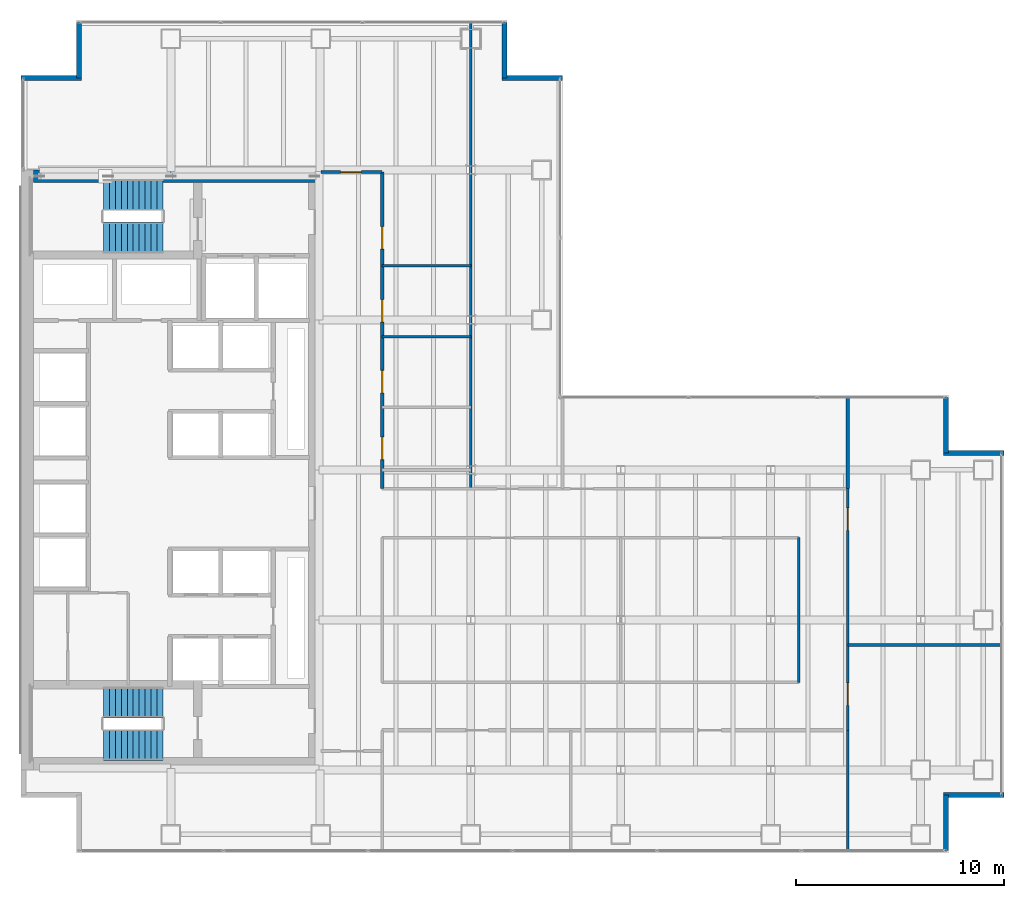
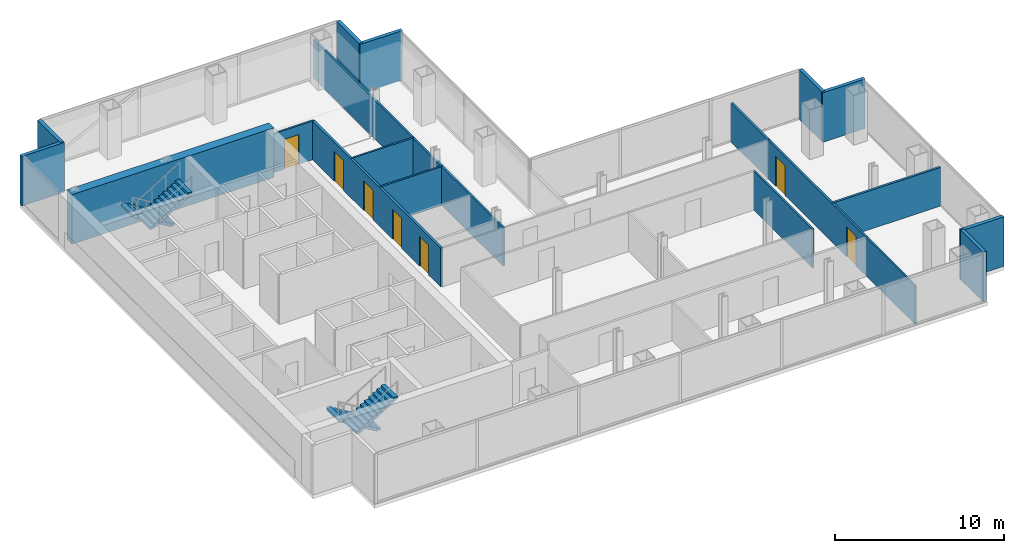
# One storey, part 22 of 23: 19 walls, 7 doors, 4 stair flights, 7 openings, 2 elements without a shape of their own.
"""IFC4 building model written with IfcOpenShell, lengths in metres."""

from ifc_helpers import new_model, si_unit, direction, frame, frame_2d, origin, place, context, subcontext, project, spatial, polyline, rectangle, outline, extrude, material, layer, layer_set, type_object, element, fill, aggregate, save


model = new_model("IFC4")

# Units and contexts
model_context = context("Model", 3, precision=1e-05, world=origin(), true_north=direction((0.0, 1.0)))
body_context = subcontext(model_context, "Body", "Model", "MODEL_VIEW")
ifc_project = project(units=[si_unit("LENGTHUNIT", "METRE"), si_unit("AREAUNIT", "SQUARE_METRE"), si_unit("VOLUMEUNIT", "CUBIC_METRE"), si_unit("PLANEANGLEUNIT", "RADIAN"), si_unit("MASSUNIT", "GRAM", prefix="KILO")], contexts=[model_context])

# Site, building, storey
site_placement = place(None, origin())
site = spatial("IfcSite", under=ifc_project, at=site_placement, CompositionType="ELEMENT")
building_placement = place(site_placement, origin())
building = spatial("IfcBuilding", under=site, at=building_placement, Name="Cobrela Telecom Tower", CompositionType="ELEMENT")
storey_placement = place(building_placement, frame((0.0, 0.0, 102.199951171875)))
storey = spatial("IfcBuildingStorey", under=building, at=storey_placement, Name="L25", CompositionType="ELEMENT", Elevation=102.199951171875)

# Walls
ifc_material_1 = material(Name="Concrete C50/60", Category="concrete")
ifc_layer_1 = layer(ifc_material_1, 0.60009765625)
ifc_layer_set_1 = layer_set([ifc_layer_1], Name="Concrete C50/60")
wall_type_1 = type_object("IfcWallType", Name="WALL-CORE-C50-600", PredefinedType="SHEAR", material=ifc_layer_set_1)
wall_1_placement = place(storey_placement, frame((0.60009765625, 35.699951171875, 0.0), z_axis=(0.0, 0.0, 1.0), x_axis=(1.0, 0.0, 0.0)))
element("IfcWall", 1, at=wall_1_placement, inside=storey, type_object=wall_type_1, Name="L25 North Core Shear Wall", PredefinedType="SHEAR", context=body_context, shape_type="SweptSolid", body=[
    extrude(rectangle(XDim=13.7998046875, YDim=0.60009765625, at=frame_2d((6.89990234375, 0.0))), origin(), (0.0, 0.0, 1.0), 3.580078125),
])
ifc_material_2 = material(Name="Concrete C40/50", Category="concrete")
ifc_layer_2 = layer(ifc_material_2, 0.239990234375)
ifc_layer_set_2 = layer_set([ifc_layer_2], Name="Concrete C40/50")
wall_type_2 = type_object("IfcWallType", Name="WALL-EXT-300", PredefinedType="STANDARD", material=ifc_layer_set_2)
wall_2_placement = place(storey_placement, frame((0.0, 40.409912109375, 0.0), z_axis=(0.0, 0.0, 1.0), x_axis=(1.0, 0.0, 0.0)))
element("IfcWall", 2, at=wall_2_placement, inside=storey, type_object=wall_type_2, Name="L25 Insulated Facade Wall 05", PredefinedType="STANDARD", context=body_context, shape_type="SweptSolid", body=[
    extrude(rectangle(XDim=2.909912109375, YDim=0.239990234375, at=frame_2d((1.455078125, 0.0))), origin(), (0.0, 0.0, 1.0), 3.580078125),
])
for number, where, z_axis, x_axis, name in (
    (3, (2.7900390625, 40.409912109375, 0.0), (0.0, 0.0, 1.0), (0.0, 1.0, 0.0), "L25 Insulated Facade Wall 06"),
    (4, (23.2099609375, 43.080078125, 0.0), (0.0, 0.0, 1.0), (0.0, -1.0, 0.0), "L25 Insulated Facade Wall 08"),
):
    element("IfcWall", number, at=place(storey_placement, frame(where, z_axis=z_axis, x_axis=x_axis)), inside=storey, type_object=wall_type_2, Name=name, PredefinedType="STANDARD", context=body_context, shape_type="SweptSolid", body=[
        extrude(rectangle(XDim=2.670166015625, YDim=0.239990234375, at=frame_2d((1.3349609375, 0.0))), origin(), (0.0, 0.0, 1.0), 3.580078125),
    ])
wall_3_placement = place(storey_placement, frame((23.090087890625, 40.409912109375, 0.0), z_axis=(0.0, 0.0, 1.0), x_axis=(1.0, 0.0, 0.0)))
element("IfcWall", 5, at=wall_3_placement, inside=storey, type_object=wall_type_2, Name="L25 Insulated Facade Wall 09", PredefinedType="STANDARD", context=body_context, shape_type="SweptSolid", body=[
    extrude(rectangle(XDim=2.909912109375, YDim=0.239990234375, at=frame_2d((1.455078125, 0.0))), origin(), (0.0, 0.0, 1.0), 3.580078125),
])
wall_4_placement = place(storey_placement, frame((44.409912109375, 25.080078125, 0.0), z_axis=(0.0, 0.0, 1.0), x_axis=(0.0, -1.0, 0.0)))
element("IfcWall", 6, at=wall_4_placement, inside=storey, type_object=wall_type_2, Name="L25 Insulated Facade Wall 12", PredefinedType="STANDARD", context=body_context, shape_type="SweptSolid", body=[
    extrude(rectangle(XDim=2.670166015625, YDim=0.239990234375, at=frame_2d((1.3349609375, 0.0))), origin(), (0.0, 0.0, 1.0), 3.580078125),
])
for number, where, z_axis, x_axis, name in (
    (7, (44.2900390625, 22.409912109375, 0.0), (0.0, 0.0, 1.0), (1.0, 0.0, 0.0), "L25 Insulated Facade Wall 13"),
    (8, (47.199951171875, 5.989990234375, 0.0), (0.0, 0.0, 1.0), (-1.0, 0.0, 0.0), "L25 Insulated Facade Wall 15"),
):
    element("IfcWall", number, at=place(storey_placement, frame(where, z_axis=z_axis, x_axis=x_axis)), inside=storey, type_object=wall_type_2, Name=name, PredefinedType="STANDARD", context=body_context, shape_type="SweptSolid", body=[
        extrude(rectangle(XDim=2.909912109375, YDim=0.239990234375, at=frame_2d((1.455078125, 0.0))), origin(), (0.0, 0.0, 1.0), 3.580078125),
    ])
wall_5_placement = place(storey_placement, frame((44.409912109375, 5.989990234375, 0.0), z_axis=(0.0, 0.0, 1.0), x_axis=(0.0, -1.0, 0.0)))
element("IfcWall", 9, at=wall_5_placement, inside=storey, type_object=wall_type_2, Name="L25 Insulated Facade Wall 16", PredefinedType="STANDARD", context=body_context, shape_type="SweptSolid", body=[
    extrude(rectangle(XDim=2.669921875, YDim=0.239990234375, at=frame_2d((1.3349609375, 0.0))), origin(), (0.0, 0.0, 1.0), 3.580078125),
])
ifc_material_3 = material(Name="Fire-Rated Gypsum Plasterboard")
ifc_layer_3 = layer(ifc_material_3, 0.110107421875)
ifc_layer_set_3 = layer_set([ifc_layer_3], Name="Fire-Rated Gypsum Plasterboard")
wall_type_3 = type_object("IfcWallType", Name="WALL-PART-110", PredefinedType="PARTITIONING", material=ifc_layer_set_3)
wall_6_placement = place(storey_placement, frame((39.699951171875, 3.320068359375, 0.0), z_axis=(0.0, 0.0, 1.0), x_axis=(0.0, 1.0, 0.0)))
element("IfcWall", 10, at=wall_6_placement, inside=storey, type_object=wall_type_3, Name="L25 Interior Partition W-UFE-S", PredefinedType="PARTITIONING", context=body_context, shape_type="SweptSolid", body=[
    extrude(rectangle(XDim=5.780029296875, YDim=0.110107421875, at=frame_2d((2.89013671875, 0.0))), origin(), (0.0, 0.0, 1.0), 2.79296875),
])
ifc_layer_4 = layer(ifc_material_3, 0.125)
ifc_layer_set_4 = layer_set([ifc_layer_4], Name="Fire-Rated Gypsum Plasterboard")
wall_type_4 = type_object("IfcWallType", Name="WALL-PART-125", PredefinedType="PARTITIONING", material=ifc_layer_set_4)
wall_7_placement = place(storey_placement, frame((37.35009765625, 11.39990234375, 0.0), z_axis=(0.0, 0.0, 1.0), x_axis=(0.0, 1.0, 0.0)))
element("IfcWall", 11, at=wall_7_placement, inside=storey, type_object=wall_type_4, Name="L25 Interior Partition W-ISL-E", PredefinedType="PARTITIONING", context=body_context, shape_type="SweptSolid", body=[
    extrude(rectangle(XDim=6.9501953125, YDim=0.125, at=frame_2d((3.47509765625, 0.0))), origin(), (0.0, 0.0, 1.0), 2.79296875),
])
for number, where, z_axis, x_axis, name in (
    (12, (17.35009765625, 28.0, 0.0), (0.0, 0.0, 1.0), (1.0, 0.0, 0.0), "L25 Interior Partition W-WC-2"),
    (13, (17.35009765625, 31.39990234375, 0.0), (0.0, 0.0, 1.0), (1.0, 0.0, 0.0), "L25 Interior Partition W-WC-3"),
):
    element("IfcWall", number, at=place(storey_placement, frame(where, z_axis=z_axis, x_axis=x_axis)), inside=storey, type_object=wall_type_4, Name=name, PredefinedType="PARTITIONING", context=body_context, shape_type="SweptSolid", body=[
        extrude(rectangle(XDim=4.25, YDim=0.125, at=frame_2d((2.125, 0.0))), origin(), (0.0, 0.0, 1.0), 2.79296875),
    ])

# Wall, opening, door
ifc_layer_5 = layer(ifc_material_3, 0.135009765625)
ifc_layer_set_5 = layer_set([ifc_layer_5], Name="Fire-Rated Gypsum Plasterboard")
wall_type_5 = type_object("IfcWallType", Name="WALL-PART-135", PredefinedType="PARTITIONING", material=ifc_layer_set_5)
wall_8_placement = place(storey_placement, frame((14.39990234375, 35.89990234375, 0.0), z_axis=(0.0, 0.0, 1.0), x_axis=(1.0, 0.0, 0.0)))
wall_8 = element("IfcWall", 14, at=wall_8_placement, inside=storey, type_object=wall_type_5, Name="L25 Interior Partition W-UW-N0", PredefinedType="PARTITIONING", context=body_context, shape_type="SweptSolid", body=[
    extrude(rectangle(XDim=2.9501953125, YDim=0.135009765625, at=frame_2d((1.47509765625, 0.0))), origin(), (0.0, 0.0, 1.0), 2.79296875),
])
opening_1_placement = place(wall_8_placement, frame((0.949951171875, 0.0, 0.0)))
opening_1 = element("IfcOpeningElement", 15, at=opening_1_placement, cuts=wall_8, Name="Opening DR-31", PredefinedType="OPENING", context=body_context, shape_type="SweptSolid", body=[
    extrude(rectangle(XDim=1.0, YDim=2.14990234375, at=frame_2d((0.5, 1.074951171875))), frame((0.0, 0.07958984375, 0.0), z_axis=(0.0, -1.0, 0.0), x_axis=(1.0, 0.0, 0.0)), (0.0, 0.0, 1.0), 0.158935546875),
])
ifc_material_4 = material(Name="Solid Engineered Oak Timber", Category="wood")
door_type_1 = type_object("IfcDoorType", Name="DOOR-INT-1000", OperationType="SINGLE_SWING_LEFT", PredefinedType="DOOR", material=ifc_material_4)
door_1_placement = place(opening_1_placement, origin())
door_1 = element("IfcDoor", 16, at=door_1_placement, inside=storey, type_object=door_type_1, Name="L25 Door DR-31", OperationType="SINGLE_SWING_LEFT", OverallHeight=2.14990234375, OverallWidth=1.0, PredefinedType="DOOR", context=body_context, shape_type="SweptSolid", body=[
    extrude(rectangle(XDim=1.0, YDim=2.14990234375, at=frame_2d((0.5, 1.074951171875))), frame((0.0, 0.02490234375, 0.0), z_axis=(0.0, -1.0, 0.0), x_axis=(1.0, 0.0, 0.0)), (0.0, 0.0, 1.0), 0.050048828125),
])
fill(opening_1, door_1)

# Wall, openings, doors
wall_9_placement = place(storey_placement, frame((39.699951171875, 9.10009765625, 0.0), z_axis=(0.0, 0.0, 1.0), x_axis=(0.0, 1.0, 0.0)))
wall_9 = element("IfcWall", 17, at=wall_9_placement, inside=storey, type_object=wall_type_5, Name="L25 Interior Partition W-UE-E", PredefinedType="PARTITIONING", context=body_context, shape_type="SweptSolid", body=[
    extrude(rectangle(XDim=11.599853515625, YDim=0.135009765625, at=frame_2d((5.7998046875, 0.0))), origin(), (0.0, 0.0, 1.0), 2.79296875),
])
opening_2_placement = place(wall_9_placement, frame((1.199951171875, 0.0, 0.0)))
opening_2 = element("IfcOpeningElement", 18, at=opening_2_placement, cuts=wall_9, Name="Opening DR-63", PredefinedType="OPENING", context=body_context, shape_type="SweptSolid", body=[
    extrude(rectangle(XDim=1.080078125, YDim=2.14990234375, at=frame_2d((0.5400390625, 1.074951171875))), frame((0.0, 0.07958984375, 0.0), z_axis=(0.0, -1.0, 0.0), x_axis=(1.0, 0.0, 0.0)), (0.0, 0.0, 1.0), 0.158935546875),
])
opening_3_placement = place(wall_9_placement, frame((9.60009765625, 0.0, 0.0)))
opening_3 = element("IfcOpeningElement", 19, at=opening_3_placement, cuts=wall_9, Name="Opening DR-63", PredefinedType="OPENING", context=body_context, shape_type="SweptSolid", body=[
    extrude(rectangle(XDim=1.080078125, YDim=2.14990234375, at=frame_2d((0.5400390625, 1.074951171875))), frame((0.0, 0.07958984375, 0.0), z_axis=(0.0, -1.0, 0.0), x_axis=(1.0, 0.0, 0.0)), (0.0, 0.0, 1.0), 0.158935546875),
])
door_type_2 = type_object("IfcDoorType", Name="DOOR-INT-1080", OperationType="SINGLE_SWING_LEFT", PredefinedType="DOOR", material=ifc_material_4)
door_2_placement = place(opening_2_placement, origin())
door_2 = element("IfcDoor", 20, at=door_2_placement, inside=storey, type_object=door_type_2, Name="L25 Door DR-63", OperationType="SINGLE_SWING_LEFT", OverallHeight=2.14990234375, OverallWidth=1.080078125, PredefinedType="DOOR", context=body_context, shape_type="SweptSolid", body=[
    extrude(rectangle(XDim=1.080078125, YDim=2.14990234375, at=frame_2d((0.5400390625, 1.074951171875))), frame((0.0, 0.02490234375, 0.0), z_axis=(0.0, -1.0, 0.0), x_axis=(1.0, 0.0, 0.0)), (0.0, 0.0, 1.0), 0.050048828125),
])
fill(opening_2, door_2)
door_3_placement = place(opening_3_placement, origin())
door_3 = element("IfcDoor", 21, at=door_3_placement, inside=storey, type_object=door_type_2, Name="L25 Door DR-63", OperationType="SINGLE_SWING_RIGHT", OverallHeight=2.14990234375, OverallWidth=1.080078125, PredefinedType="DOOR", context=body_context, shape_type="SweptSolid", body=[
    extrude(rectangle(XDim=1.080078125, YDim=2.14990234375, at=frame_2d((0.5400390625, 1.074951171875))), frame((0.0, 0.02490234375, 0.0), z_axis=(0.0, -1.0, 0.0), x_axis=(1.0, 0.0, 0.0)), (0.0, 0.0, 1.0), 0.050048828125),
])
fill(opening_3, door_3)

# Walls
wall_10_placement = place(storey_placement, frame((21.60009765625, 20.699951171875, 0.0), z_axis=(0.0, 0.0, 1.0), x_axis=(0.0, 1.0, 0.0)))
element("IfcWall", 22, at=wall_10_placement, inside=storey, type_object=wall_type_5, Name="L25 Interior Partition W-WC-E", PredefinedType="PARTITIONING", context=body_context, shape_type="SweptSolid", body=[
    extrude(rectangle(XDim=22.380126953125, YDim=0.135009765625, at=frame_2d((11.18994140625, 0.0))), origin(), (0.0, 0.0, 1.0), 2.79296875),
])
ifc_layer_6 = layer(ifc_material_3, 0.14990234375)
ifc_layer_set_6 = layer_set([ifc_layer_6], Name="Fire-Rated Gypsum Plasterboard")
wall_type_6 = type_object("IfcWallType", Name="WALL-PART-150", PredefinedType="PARTITIONING", material=ifc_layer_set_6)
wall_11_placement = place(storey_placement, frame((39.699951171875, 13.199951171875, 0.0), z_axis=(0.0, 0.0, 1.0), x_axis=(1.0, 0.0, 0.0)))
element("IfcWall", 23, at=wall_11_placement, inside=storey, type_object=wall_type_6, Name="L25 Interior Partition W-UFE-H", PredefinedType="PARTITIONING", context=body_context, shape_type="SweptSolid", body=[
    extrude(rectangle(XDim=7.380126953125, YDim=0.14990234375, at=frame_2d((3.68994140625, 0.0))), origin(), (0.0, 0.0, 1.0), 2.79296875),
])

# Wall, openings, doors
ifc_layer_7 = layer(ifc_material_3, 0.159912109375)
ifc_layer_set_7 = layer_set([ifc_layer_7], Name="Fire-Rated Gypsum Plasterboard")
wall_type_7 = type_object("IfcWallType", Name="WALL-PART-160", PredefinedType="PARTITIONING", material=ifc_layer_set_7)
wall_12_placement = place(storey_placement, frame((17.35009765625, 20.699951171875, 0.0), z_axis=(0.0, 0.0, 1.0), x_axis=(0.0, 1.0, 0.0)))
wall_12 = element("IfcWall", 24, at=wall_12_placement, inside=storey, type_object=wall_type_7, Name="L25 Interior Partition W-UW-E2", PredefinedType="PARTITIONING", context=body_context, shape_type="SweptSolid", body=[
    extrude(rectangle(XDim=15.199951171875, YDim=0.159912109375, at=frame_2d((7.60009765625, 0.0))), origin(), (0.0, 0.0, 1.0), 2.79296875),
])
opening_4_placement = place(wall_12_placement, frame((1.39990234375, 0.0, 0.0)))
opening_4 = element("IfcOpeningElement", 25, at=opening_4_placement, cuts=wall_12, Name="Opening DR-63", PredefinedType="OPENING", context=body_context, shape_type="SweptSolid", body=[
    extrude(rectangle(XDim=1.080078125, YDim=2.14990234375, at=frame_2d((0.5400390625, 1.074951171875))), frame((0.0, 0.091796875, 0.0), z_axis=(0.0, -1.0, 0.0), x_axis=(1.0, 0.0, 0.0)), (0.0, 0.0, 1.0), 0.183837890625),
])
opening_5_placement = place(wall_12_placement, frame((4.60009765625, 0.0, 0.0)))
opening_5 = element("IfcOpeningElement", 26, at=opening_5_placement, cuts=wall_12, Name="Opening DR-63", PredefinedType="OPENING", context=body_context, shape_type="SweptSolid", body=[
    extrude(rectangle(XDim=1.080078125, YDim=2.14990234375, at=frame_2d((0.5400390625, 1.074951171875))), frame((0.0, 0.091796875, 0.0), z_axis=(0.0, -1.0, 0.0), x_axis=(1.0, 0.0, 0.0)), (0.0, 0.0, 1.0), 0.183837890625),
])
opening_6_placement = place(wall_12_placement, frame((8.0, 0.0, 0.0)))
opening_6 = element("IfcOpeningElement", 27, at=opening_6_placement, cuts=wall_12, Name="Opening DR-63", PredefinedType="OPENING", context=body_context, shape_type="SweptSolid", body=[
    extrude(rectangle(XDim=1.080078125, YDim=2.14990234375, at=frame_2d((0.5400390625, 1.074951171875))), frame((0.0, 0.091796875, 0.0), z_axis=(0.0, -1.0, 0.0), x_axis=(1.0, 0.0, 0.0)), (0.0, 0.0, 1.0), 0.183837890625),
])
opening_7_placement = place(wall_12_placement, frame((11.5, 0.0, 0.0)))
opening_7 = element("IfcOpeningElement", 28, at=opening_7_placement, cuts=wall_12, Name="Opening DR-63", PredefinedType="OPENING", context=body_context, shape_type="SweptSolid", body=[
    extrude(rectangle(XDim=1.080078125, YDim=2.14990234375, at=frame_2d((0.5400390625, 1.074951171875))), frame((0.0, 0.091796875, 0.0), z_axis=(0.0, -1.0, 0.0), x_axis=(1.0, 0.0, 0.0)), (0.0, 0.0, 1.0), 0.183837890625),
])
door_4_placement = place(opening_4_placement, origin())
door_4 = element("IfcDoor", 29, at=door_4_placement, inside=storey, type_object=door_type_2, Name="L25 Door DR-63", OperationType="SINGLE_SWING_LEFT", OverallHeight=2.14990234375, OverallWidth=1.080078125, PredefinedType="DOOR", context=body_context, shape_type="SweptSolid", body=[
    extrude(rectangle(XDim=1.080078125, YDim=2.14990234375, at=frame_2d((0.5400390625, 1.074951171875))), frame((0.0, 0.02490234375, 0.0), z_axis=(0.0, -1.0, 0.0), x_axis=(1.0, 0.0, 0.0)), (0.0, 0.0, 1.0), 0.050048828125),
])
fill(opening_4, door_4)
door_5_placement = place(opening_5_placement, origin())
door_5 = element("IfcDoor", 30, at=door_5_placement, inside=storey, type_object=door_type_2, Name="L25 Door DR-63", OperationType="SINGLE_SWING_RIGHT", OverallHeight=2.14990234375, OverallWidth=1.080078125, PredefinedType="DOOR", context=body_context, shape_type="SweptSolid", body=[
    extrude(rectangle(XDim=1.080078125, YDim=2.14990234375, at=frame_2d((0.5400390625, 1.074951171875))), frame((0.0, 0.02490234375, 0.0), z_axis=(0.0, -1.0, 0.0), x_axis=(1.0, 0.0, 0.0)), (0.0, 0.0, 1.0), 0.050048828125),
])
fill(opening_5, door_5)
door_6_placement = place(opening_6_placement, origin())
door_6 = element("IfcDoor", 31, at=door_6_placement, inside=storey, type_object=door_type_2, Name="L25 Door DR-63", OperationType="SINGLE_SWING_LEFT", OverallHeight=2.14990234375, OverallWidth=1.080078125, PredefinedType="DOOR", context=body_context, shape_type="SweptSolid", body=[
    extrude(rectangle(XDim=1.080078125, YDim=2.14990234375, at=frame_2d((0.5400390625, 1.074951171875))), frame((0.0, 0.02490234375, 0.0), z_axis=(0.0, -1.0, 0.0), x_axis=(1.0, 0.0, 0.0)), (0.0, 0.0, 1.0), 0.050048828125),
])
fill(opening_6, door_6)
door_7_placement = place(opening_7_placement, origin())
door_7 = element("IfcDoor", 32, at=door_7_placement, inside=storey, type_object=door_type_2, Name="L25 Door DR-63", OperationType="SINGLE_SWING_RIGHT", OverallHeight=2.14990234375, OverallWidth=1.080078125, PredefinedType="DOOR", context=body_context, shape_type="SweptSolid", body=[
    extrude(rectangle(XDim=1.080078125, YDim=2.14990234375, at=frame_2d((0.5400390625, 1.074951171875))), frame((0.0, 0.02490234375, 0.0), z_axis=(0.0, -1.0, 0.0), x_axis=(1.0, 0.0, 0.0)), (0.0, 0.0, 1.0), 0.050048828125),
])
fill(opening_7, door_7)

# Wall
wall_13_placement = place(storey_placement, frame((39.699951171875, 20.699951171875, 0.0), z_axis=(0.0, 0.0, 1.0), x_axis=(0.0, 1.0, 0.0)))
element("IfcWall", 33, at=wall_13_placement, inside=storey, type_object=wall_type_7, Name="L25 Interior Partition W-UFE-N", PredefinedType="PARTITIONING", context=body_context, shape_type="SweptSolid", body=[
    extrude(rectangle(XDim=4.380126953125, YDim=0.159912109375, at=frame_2d((2.18994140625, 0.0))), origin(), (0.0, 0.0, 1.0), 2.79296875),
])

# Stair, stair flights
stair_type = type_object("IfcStairType", Name="STAIR-CORE", PredefinedType="HALF_TURN_STAIR", material=ifc_material_2)
stair_1_placement = place(storey_placement, origin())
stair_1 = element("IfcStair", 34, at=stair_1_placement, inside=storey, type_object=stair_type, Name="L25 Smokeproof Exit Stair ST1", PredefinedType="HALF_TURN_STAIR")
stair_flight_type = type_object("IfcStairFlightType", Name="FLIGHT-CORE", PredefinedType="STRAIGHT", material=ifc_material_2)
stair_flight_1_placement = place(storey_placement, frame((6.820068359375, 34.800048828125, 0.0), z_axis=(0.0, 0.0, 1.0), x_axis=(-1.0, 0.0, 0.0)))
stair_flight_1 = element("IfcStairFlight", 35, at=stair_flight_1_placement, type_object=stair_flight_type, Name="ST1 flight 1", NumberOfRisers=11, NumberOfTreads=10, PredefinedType="STRAIGHT", RiserHeight=0.175, TreadLength=0.285, context=body_context, shape_type="SweptSolid", body=[
    extrude(outline(polyline([(0.0, 0.0), (0.0, 0.175048828125), (0.284912109375, 0.175048828125), (0.284912109375, 0.35009765625), (0.570068359375, 0.35009765625), (0.570068359375, 0.52490234375), (0.85498046875, 0.52490234375), (0.85498046875, 0.699951171875), (1.139892578125, 0.699951171875), (1.139892578125, 0.875), (1.425048828125, 0.875), (1.425048828125, 1.050048828125), (1.7099609375, 1.050048828125), (1.7099609375, 1.22509765625), (1.9951171875, 1.22509765625), (1.9951171875, 1.39990234375), (2.280029296875, 1.39990234375), (2.280029296875, 1.574951171875), (2.56494140625, 1.574951171875), (2.56494140625, 1.75), (2.85009765625, 1.75), (2.85009765625, 1.925048828125), (2.85009765625, 1.573974609375), (0.286376953125, 0.0), (0.0, 0.0)])), frame((0.0, 0.75, 0.0), z_axis=(0.0, -1.0, 0.0), x_axis=(1.0, 0.0, 0.0)), (0.0, 0.0, 1.0), 1.5),
])
stair_flight_2_placement = place(storey_placement, frame((3.969970703125, 32.75, 1.925048828125), z_axis=(0.0, 0.0, 1.0), x_axis=(1.0, 0.0, 0.0)))
stair_flight_2 = element("IfcStairFlight", 36, at=stair_flight_2_placement, type_object=stair_flight_type, Name="ST1 flight 2", NumberOfRisers=11, NumberOfTreads=10, PredefinedType="STRAIGHT", RiserHeight=0.175, TreadLength=0.285, context=body_context, shape_type="SweptSolid", body=[
    extrude(outline(polyline([(0.0, 0.0), (0.0, 0.175048828125), (0.284912109375, 0.175048828125), (0.284912109375, 0.35009765625), (0.570068359375, 0.35009765625), (0.570068359375, 0.52490234375), (0.85498046875, 0.52490234375), (0.85498046875, 0.699951171875), (1.139892578125, 0.699951171875), (1.139892578125, 0.875), (1.425048828125, 0.875), (1.425048828125, 1.050048828125), (1.7099609375, 1.050048828125), (1.7099609375, 1.22509765625), (1.9951171875, 1.22509765625), (1.9951171875, 1.39990234375), (2.280029296875, 1.39990234375), (2.280029296875, 1.574951171875), (2.56494140625, 1.574951171875), (2.56494140625, 1.75), (2.85009765625, 1.75), (2.85009765625, 1.925048828125), (2.85009765625, 1.573974609375), (0.286376953125, 0.0), (0.0, 0.0)])), frame((0.0, 0.75, 0.0), z_axis=(0.0, -1.0, 0.0), x_axis=(1.0, 0.0, 0.0)), (0.0, 0.0, 1.0), 1.5),
])
aggregate(stair_1, [stair_flight_1, stair_flight_2])

stair_2_placement = place(storey_placement, origin())
stair_2 = element("IfcStair", 37, at=stair_2_placement, inside=storey, type_object=stair_type, Name="L25 Smokeproof Exit Stair ST2", PredefinedType="HALF_TURN_STAIR")
stair_flight_3_placement = place(storey_placement, frame((6.820068359375, 10.449951171875, 0.0), z_axis=(0.0, 0.0, 1.0), x_axis=(-1.0, 0.0, 0.0)))
stair_flight_3 = element("IfcStairFlight", 38, at=stair_flight_3_placement, type_object=stair_flight_type, Name="ST2 flight 1", NumberOfRisers=11, NumberOfTreads=10, PredefinedType="STRAIGHT", RiserHeight=0.175, TreadLength=0.285, context=body_context, shape_type="SweptSolid", body=[
    extrude(outline(polyline([(0.0, 0.0), (0.0, 0.175048828125), (0.284912109375, 0.175048828125), (0.284912109375, 0.35009765625), (0.570068359375, 0.35009765625), (0.570068359375, 0.52490234375), (0.85498046875, 0.52490234375), (0.85498046875, 0.699951171875), (1.139892578125, 0.699951171875), (1.139892578125, 0.875), (1.425048828125, 0.875), (1.425048828125, 1.050048828125), (1.7099609375, 1.050048828125), (1.7099609375, 1.22509765625), (1.9951171875, 1.22509765625), (1.9951171875, 1.39990234375), (2.280029296875, 1.39990234375), (2.280029296875, 1.574951171875), (2.56494140625, 1.574951171875), (2.56494140625, 1.75), (2.85009765625, 1.75), (2.85009765625, 1.925048828125), (2.85009765625, 1.573974609375), (0.286376953125, 0.0), (0.0, 0.0)])), frame((0.0, 0.75, 0.0), z_axis=(0.0, -1.0, 0.0), x_axis=(1.0, 0.0, 0.0)), (0.0, 0.0, 1.0), 1.5),
])
stair_flight_4_placement = place(storey_placement, frame((3.969970703125, 8.39990234375, 1.925048828125), z_axis=(0.0, 0.0, 1.0), x_axis=(1.0, 0.0, 0.0)))
stair_flight_4 = element("IfcStairFlight", 39, at=stair_flight_4_placement, type_object=stair_flight_type, Name="ST2 flight 2", NumberOfRisers=11, NumberOfTreads=10, PredefinedType="STRAIGHT", RiserHeight=0.175, TreadLength=0.285, context=body_context, shape_type="SweptSolid", body=[
    extrude(outline(polyline([(0.0, 0.0), (0.0, 0.175048828125), (0.284912109375, 0.175048828125), (0.284912109375, 0.35009765625), (0.570068359375, 0.35009765625), (0.570068359375, 0.52490234375), (0.85498046875, 0.52490234375), (0.85498046875, 0.699951171875), (1.139892578125, 0.699951171875), (1.139892578125, 0.875), (1.425048828125, 0.875), (1.425048828125, 1.050048828125), (1.7099609375, 1.050048828125), (1.7099609375, 1.22509765625), (1.9951171875, 1.22509765625), (1.9951171875, 1.39990234375), (2.280029296875, 1.39990234375), (2.280029296875, 1.574951171875), (2.56494140625, 1.574951171875), (2.56494140625, 1.75), (2.85009765625, 1.75), (2.85009765625, 1.925048828125), (2.85009765625, 1.573974609375), (0.286376953125, 0.0), (0.0, 0.0)])), frame((0.0, 0.75, 0.0), z_axis=(0.0, -1.0, 0.0), x_axis=(1.0, 0.0, 0.0)), (0.0, 0.0, 1.0), 1.5),
])
aggregate(stair_2, [stair_flight_3, stair_flight_4])

save(model, "model.ifc")
